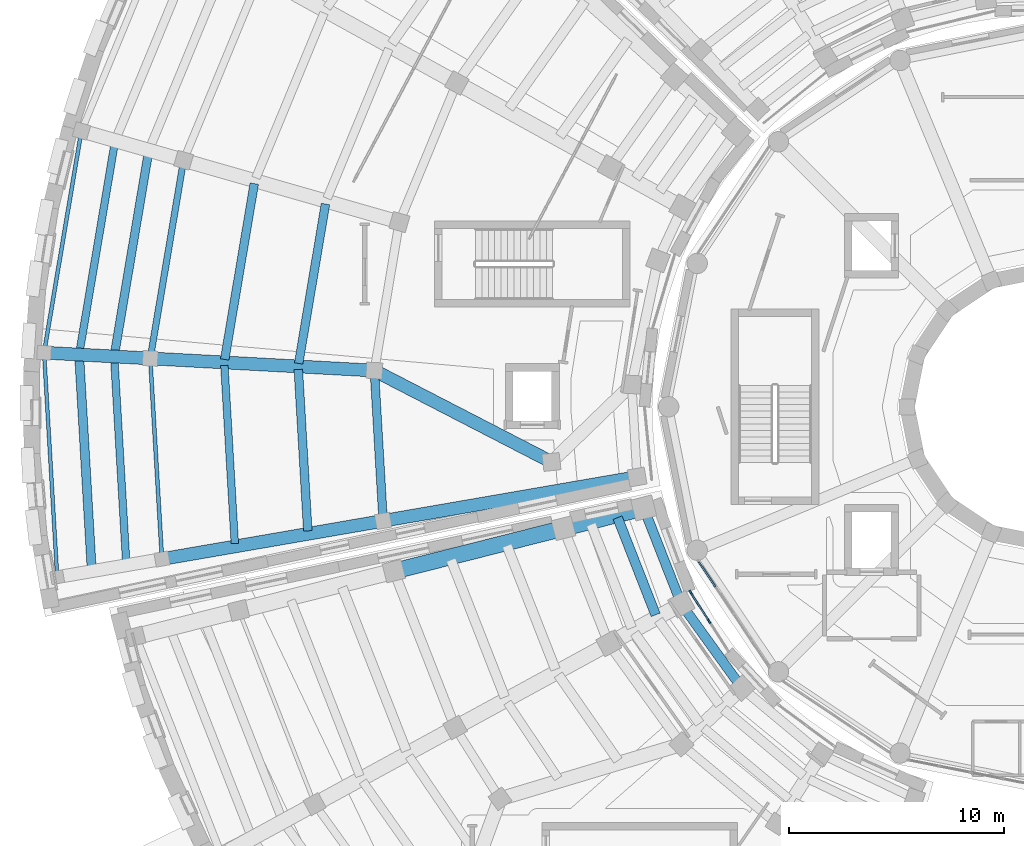
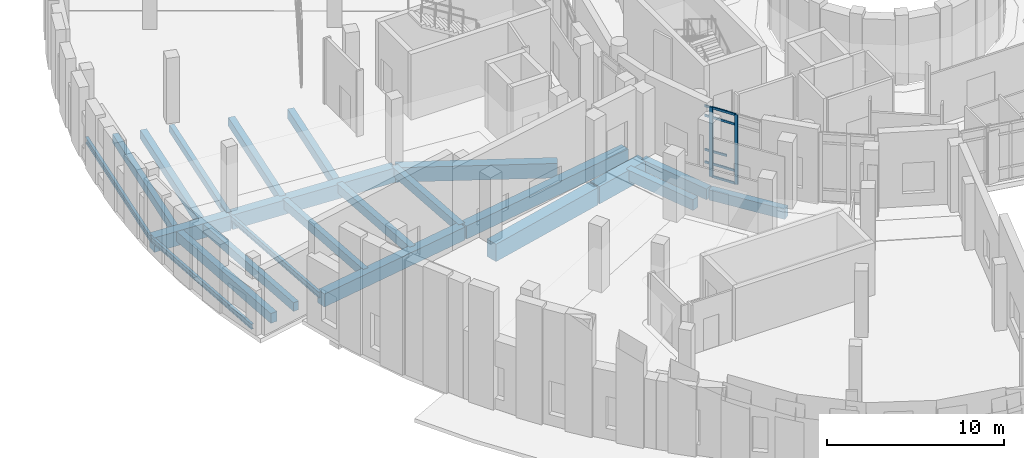
# One storey, part 10 of 89: 23 beams, 10 members, 2 elements without a shape of their own.
"""IFC4 building model written with IfcOpenShell, lengths in metres."""

import ifcopenshell
import ifcopenshell.guid

model = None  # the IFC model being written
_history = None  # IfcOwnerHistory: only IFC2X3 demands one
_inside = {}  # id of a spatial element -> (the spatial element, [elements in it])
_under = {}  # id of a project, library or spatial element -> (it, [spatial elements below it])
_declared = {}  # id of a project -> (the project, [libraries it declares])
_typed = {}  # id of a type object -> (the type object, [elements of that type])
_made_of = {}  # id of a material, layer set ... -> (it, [elements and type objects made of it])


def new_model(schema):
    """Start an empty IFC model of exactly this schema.

    Asked for "IFC4X3", IfcOpenShell would pick the latest addendum, in which some entities
    have other attributes; the version numbers below select the first issue.
    IFC2X3 requires an IfcOwnerHistory on every rooted entity: one is made here for all.
    """
    global model, _history
    if schema == "IFC4X3":
        model = ifcopenshell.file(schema_version=(4, 3, 0, 0))
    else:
        model = ifcopenshell.file(schema=schema)
    _inside.clear()
    _under.clear()
    _declared.clear()
    _typed.clear()
    _made_of.clear()
    _history = None
    if model.schema == "IFC2X3":
        org = make("IfcOrganization", Name="unknown")
        user = make(
            "IfcPersonAndOrganization",
            ThePerson=make("IfcPerson", FamilyName="unknown"),
            TheOrganization=org,
        )
        app = make(
            "IfcApplication",
            ApplicationDeveloper=org,
            Version="unknown",
            ApplicationFullName="unknown",
            ApplicationIdentifier="unknown",
        )
        _history = make(
            "IfcOwnerHistory",
            OwningUser=user,
            OwningApplication=app,
            ChangeAction="ADDED",
            CreationDate=0,
        )
    return model


def make(cls, **values):
    """One entity of the class cls with the attributes given. An attribute that is None is left unset."""
    return model.create_entity(
        cls, **{name: value for name, value in values.items() if value is not None}
    )


def rooted(cls, **values):
    """An entity with a GlobalId (a new one), such as an element, a storey or a relation."""
    return make(cls, GlobalId=ifcopenshell.guid.new(), OwnerHistory=_history, **values)


def si_unit(unit_type, name, prefix=None):
    """IfcSIUnit, for example si_unit("LENGTHUNIT", "METRE", prefix="MILLI")."""
    return make("IfcSIUnit", UnitType=unit_type, Prefix=prefix, Name=name)


def assignment(units):
    """IfcUnitAssignment: the units of a project."""
    return None if units is None else make("IfcUnitAssignment", Units=units)


def point(xyz):
    """IfcCartesianPoint."""
    return None if xyz is None else make("IfcCartesianPoint", Coordinates=xyz)


def direction(xyz):
    """IfcDirection."""
    return None if xyz is None else make("IfcDirection", DirectionRatios=xyz)


def frame(location, z_axis=None, x_axis=None):
    """IfcAxis2Placement3D, a coordinate frame: its origin and axes. An axis left out is left unset."""
    return make(
        "IfcAxis2Placement3D",
        Location=point(location),
        Axis=direction(z_axis),
        RefDirection=direction(x_axis),
    )


def frame_2d(location, x_axis=None):
    """IfcAxis2Placement2D, a coordinate frame in the plane: its origin and x axis."""
    return make(
        "IfcAxis2Placement2D", Location=point(location), RefDirection=direction(x_axis)
    )


def origin():
    """The frame at (0, 0, 0) with its axes left unset."""
    return frame((0.0, 0.0, 0.0))


def origin_2d():
    """The frame at (0, 0) in the plane with its x axis left unset."""
    return frame_2d((0.0, 0.0))


def place(relative_to, where):
    """IfcLocalPlacement: puts the frame where relative to a parent placement (None: the world)."""
    return make(
        "IfcLocalPlacement", PlacementRelTo=relative_to, RelativePlacement=where
    )


def context(
    kind, dimensions, precision=None, world=None, true_north=None, identifier=None
):
    """IfcGeometricRepresentationContext, for example the 3D "Model" context."""
    return make(
        "IfcGeometricRepresentationContext",
        ContextIdentifier=identifier,
        ContextType=kind,
        CoordinateSpaceDimension=dimensions,
        Precision=precision,
        WorldCoordinateSystem=world,
        TrueNorth=true_north,
    )


def subcontext(parent, identifier, kind, view, scale=None):
    """IfcGeometricRepresentationSubContext, for example "Body" below "Model"."""
    return make(
        "IfcGeometricRepresentationSubContext",
        ContextIdentifier=identifier,
        ContextType=kind,
        ParentContext=parent,
        TargetScale=scale,
        TargetView=view,
    )


def project(units=None, contexts=None):
    """IfcProject with its units and contexts."""
    return rooted(
        "IfcProject",
        Name="project",
        RepresentationContexts=contexts,
        UnitsInContext=assignment(units),
    )


def spatial(cls, under=None, at=None, **own):
    """A site, building, storey or space (cls), placed at a placement, below another one or the project."""
    s = rooted(cls, ObjectPlacement=at, **own)
    if under is not None:
        _under.setdefault(under.id(), (under, []))[1].append(s)
    return s


def profile(cls, at=None, kind="AREA", **sizes):
    """A parametric profile (cls). Its sizes go by their IFC names, for example OverallWidth=200.0."""
    return make(cls, ProfileType=kind, Position=at, **sizes)


def rectangle(**sizes):
    """IfcRectangleProfileDef."""
    return profile("IfcRectangleProfileDef", **sizes)


def i_section(**sizes):
    """IfcIShapeProfileDef."""
    return profile("IfcIShapeProfileDef", **sizes)


def extrude(swept, where, along, depth):
    """IfcExtrudedAreaSolid: the profile swept, set in the frame where, extruded along a direction by depth."""
    return make(
        "IfcExtrudedAreaSolid",
        SweptArea=swept,
        Position=where,
        ExtrudedDirection=direction(along),
        Depth=depth,
    )


def shape(context_of_items, identifier, shape_type, items):
    """IfcShapeRepresentation: the items that make up one representation, for example the "Body"."""
    return make(
        "IfcShapeRepresentation",
        ContextOfItems=context_of_items,
        RepresentationIdentifier=identifier,
        RepresentationType=shape_type,
        Items=items,
    )


def material(Name=None, Category=None):
    """IfcMaterial."""
    return make("IfcMaterial", Name=Name, Category=Category)


def material_profile(
    of_material, cross_section, Name=None, Category=None, Priority=None
):
    """IfcMaterialProfile: a cross section and its material."""
    return make(
        "IfcMaterialProfile",
        Name=Name,
        Material=of_material,
        Profile=cross_section,
        Priority=Priority,
        Category=Category,
    )


def profile_set(profiles, Name=None, composite=None):
    """IfcMaterialProfileSet."""
    return make(
        "IfcMaterialProfileSet",
        Name=Name,
        MaterialProfiles=profiles,
        CompositeProfile=composite,
    )


def made_of(thing, what):
    """Note that an element or type object is made of a material, layer set ...; save() writes the relation."""
    if what is not None:
        _made_of.setdefault(what.id(), (what, []))[1].append(thing)
    return thing


def type_object(cls, material=None, **own):
    """A type object (cls), such as IfcWallType, which elements share."""
    return made_of(rooted(cls, **own), material)


def element(
    cls,
    number,
    at=None,
    inside=None,
    cuts=None,
    type_object=None,
    material=None,
    context=None,
    identifier="Body",
    shape_type=None,
    held_by="IfcProductDefinitionShape",
    body=None,
    shapes=None,
    **own,
):
    """One element of the class cls, such as IfcWall. Its Tag is "e" and its number.

    at: its placement. inside: the storey or other place that contains it. cuts: it is an
    opening in that element (IfcRelVoidsElement). A single representation is given by context,
    identifier, shape_type and body (its items); several are given by shapes. held_by: the class
    of the entity that holds the representations. save() writes the other relations.
    """
    e = rooted(cls, Tag="e%d" % number, ObjectPlacement=at, **own)
    if body is not None:
        shapes = [shape(context, identifier, shape_type, body)]
    if shapes is not None:
        e.Representation = make(held_by, Representations=shapes)
    if inside is not None:
        _inside.setdefault(inside.id(), (inside, []))[1].append(e)
    if cuts is not None:
        rooted(
            "IfcRelVoidsElement", RelatingBuildingElement=cuts, RelatedOpeningElement=e
        )
    if type_object is not None:
        _typed.setdefault(type_object.id(), (type_object, []))[1].append(e)
    return made_of(e, material)


def aggregate(whole, parts):
    """IfcRelAggregates: a whole, such as a stair, and the parts it consists of."""
    return rooted("IfcRelAggregates", RelatingObject=whole, RelatedObjects=parts)


def save(model, path):
    """Write the relations noted so far, then the file.

    IfcRelAggregates (storeys below a building ...), IfcRelContainedInSpatialStructure (elements
    in a storey), IfcRelDefinesByType, IfcRelAssociatesMaterial and IfcRelDeclares: one each for
    every whole, place, type object, material and project.
    """
    for whole, parts in _under.values():
        aggregate(whole, parts)
    for where, things in _inside.values():
        rooted(
            "IfcRelContainedInSpatialStructure",
            RelatedElements=things,
            RelatingStructure=where,
        )
    for kind, things in _typed.values():
        rooted("IfcRelDefinesByType", RelatedObjects=things, RelatingType=kind)
    for what, things in _made_of.values():
        rooted("IfcRelAssociatesMaterial", RelatedObjects=things, RelatingMaterial=what)
    for by, libraries in _declared.values():
        rooted("IfcRelDeclares", RelatingContext=by, RelatedDefinitions=libraries)
    model.write(path)


model = new_model("IFC4")

# Units and contexts
model_context = context("Model", 3, precision=1e-05, world=origin(), true_north=direction((0.0, 1.0)))
body_context = subcontext(model_context, "Body", "Model", "MODEL_VIEW")
ifc_project = project(units=[si_unit("LENGTHUNIT", "METRE"), si_unit("AREAUNIT", "SQUARE_METRE"), si_unit("VOLUMEUNIT", "CUBIC_METRE"), si_unit("PLANEANGLEUNIT", "RADIAN"), si_unit("MASSUNIT", "GRAM", prefix="KILO")], contexts=[model_context])

# Site, building, storey
site_placement = place(None, origin())
site = spatial("IfcSite", under=ifc_project, at=site_placement, CompositionType="ELEMENT")
building_placement = place(site_placement, origin())
building = spatial("IfcBuilding", under=site, at=building_placement, Name="Soyqirgoq Riverine Aquarium", CompositionType="ELEMENT")
storey_placement = place(building_placement, frame((0.0, 0.0, 5.39990234375)))
storey = spatial("IfcBuildingStorey", under=building, at=storey_placement, Name="L02", CompositionType="ELEMENT", Elevation=5.39990234375)

# Beams
ifc_material_1 = material(Name="Concrete C40/50", Category="concrete")
ifc_material_profile_1 = material_profile(ifc_material_1, rectangle(XDim=0.35009765625, YDim=0.60009765625, at=origin_2d()), Name="RC 350x600")
ifc_profile_set_1 = profile_set([ifc_material_profile_1], Name="Concrete C40/50")
beam_type_1 = type_object("IfcBeamType", Name="Beam_RC_350x600", PredefinedType="JOIST", material=ifc_profile_set_1)
beam_1_placement = place(storey_placement, frame((17.862548828125, 58.92626953125, -0.599853515625), z_axis=(0.058454850399, -0.998290053273, 0.0), x_axis=(0.998290053273, 0.058454850399, 0.0)))
element("IfcBeam", 1, at=beam_1_placement, inside=storey, type_object=beam_type_1, Name="V3 L02 Secondary Floor Joist 0395", PredefinedType="JOIST", context=body_context, shape_type="SweptSolid", body=[
    extrude(rectangle(XDim=0.35009765625, YDim=0.60009765625, at=origin_2d()), origin(), (0.0, 0.0, 1.0), 8.302978515625),
])
beam_2_placement = place(storey_placement, frame((12.752197265625, 69.25634765625, -0.599853515625), z_axis=(-0.165906209176, -0.986141536371, 0.0), x_axis=(0.986141536371, -0.165906209176, 0.0)))
element("IfcBeam", 2, at=beam_2_placement, inside=storey, type_object=beam_type_1, Name="V3 L02 Secondary Floor Joist 0405", PredefinedType="JOIST", context=body_context, shape_type="SweptSolid", body=[
    extrude(rectangle(XDim=0.35009765625, YDim=0.60009765625, at=origin_2d()), origin(), (0.0, 0.0, 1.0), 9.82275390625),
])
beam_3_placement = place(storey_placement, frame((12.738525390625, 59.20361328125, -0.599853515625), z_axis=(0.05845563255, -0.998290007474, 0.0), x_axis=(0.998290007474, 0.05845563255, 0.0)))
element("IfcBeam", 3, at=beam_3_placement, inside=storey, type_object=beam_type_1, Name="V3 L02 Secondary Floor Joist 0406", PredefinedType="JOIST", context=body_context, shape_type="SweptSolid", body=[
    extrude(rectangle(XDim=0.35009765625, YDim=0.60009765625, at=origin_2d()), origin(), (0.0, 0.0, 1.0), 9.45556640625),
])
ifc_material_2 = material(Name="Concrete C40/50", Category="concrete")
ifc_material_profile_2 = material_profile(ifc_material_2, rectangle(XDim=0.39990234375, YDim=0.60009765625, at=origin_2d()), Name="RC 400x600")
ifc_profile_set_2 = profile_set([ifc_material_profile_2], Name="Concrete C40/50")
beam_type_2 = type_object("IfcBeamType", Name="Beam_RC_400x600", PredefinedType="JOIST", material=ifc_profile_set_2)
beam_4_placement = place(storey_placement, frame((24.8486328125, 58.637451171875, -0.599853515625), z_axis=(0.058440332484, -0.998290903264, 0.0), x_axis=(0.998290903264, 0.058440332484, 0.0)))
element("IfcBeam", 4, at=beam_4_placement, inside=storey, type_object=beam_type_2, Name="V3 L02 Wedge Chord Beam 0387", PredefinedType="JOIST", context=body_context, shape_type="SweptSolid", body=[
    extrude(rectangle(XDim=0.39990234375, YDim=0.60009765625, at=origin_2d()), origin(), (0.0, 0.0, 1.0), 6.90966796875),
])
beam_5_placement = place(storey_placement, frame((19.255126953125, 67.3916015625, -0.599853515625), z_axis=(-0.165905626818, -0.986141634346, 0.0), x_axis=(0.986141634346, -0.165905626818, 0.0)))
element("IfcBeam", 5, at=beam_5_placement, inside=storey, type_object=beam_type_2, Name="V3 L02 Secondary Floor Joist 0393", PredefinedType="JOIST", context=body_context, shape_type="SweptSolid", body=[
    extrude(rectangle(XDim=0.39990234375, YDim=0.60009765625, at=origin_2d()), origin(), (0.0, 0.0, 1.0), 8.302490234375),
])
beam_6_placement = place(storey_placement, frame((21.305908203125, 58.73974609375, -0.599853515625), z_axis=(0.058472972922, -0.998288991945, 0.0), x_axis=(0.998288991945, 0.058472972922, 0.0)))
element("IfcBeam", 6, at=beam_6_placement, inside=storey, type_object=beam_type_2, Name="V3 L02 Secondary Floor Joist 0394", PredefinedType="JOIST", context=body_context, shape_type="SweptSolid", body=[
    extrude(rectangle(XDim=0.39990234375, YDim=0.60009765625, at=origin_2d()), origin(), (0.0, 0.0, 1.0), 7.528076171875),
])
beam_7_placement = place(storey_placement, frame((14.322509765625, 68.80615234375, -0.599853515625), z_axis=(-0.165914452548, -0.98614014949, 0.0), x_axis=(0.98614014949, -0.165914452548, 0.0)))
element("IfcBeam", 7, at=beam_7_placement, inside=storey, type_object=beam_type_2, Name="V3 L02 Secondary Floor Joist 0404", PredefinedType="JOIST", context=body_context, shape_type="SweptSolid", body=[
    extrude(rectangle(XDim=0.39990234375, YDim=0.60009765625, at=origin_2d()), origin(), (0.0, 0.0, 1.0), 9.455810546875),
])
ifc_material_3 = material(Name="Concrete C40/50", Category="concrete")
ifc_material_profile_3 = material_profile(ifc_material_3, rectangle(XDim=0.39990234375, YDim=0.64990234375, at=origin_2d()), Name="RC 400x650")
ifc_profile_set_3 = profile_set([ifc_material_profile_3], Name="Concrete C40/50")
beam_type_3 = type_object("IfcBeamType", Name="Beam_RC_400x650", PredefinedType="BEAM", material=ifc_profile_set_3)
beam_8_placement = place(storey_placement, frame((22.570068359375, 66.441162109375, -0.625), z_axis=(-0.165918682022, -0.986139437887, 0.0), x_axis=(0.986139437887, -0.165918682022, 0.0)))
element("IfcBeam", 8, at=beam_8_placement, inside=storey, type_object=beam_type_3, Name="V3 L02 Secondary Floor Joist 0392", PredefinedType="BEAM", context=body_context, shape_type="SweptSolid", body=[
    extrude(rectangle(XDim=0.39990234375, YDim=0.64990234375, at=origin_2d()), origin(), (0.0, 0.0, 1.0), 7.52783203125),
])
ifc_material_4 = material(Name="Concrete C40/50", Category="concrete")
ifc_material_profile_4 = material_profile(ifc_material_4, rectangle(XDim=0.419921875, YDim=0.679931640625, at=origin_2d()), Name="RC 420x680")
ifc_profile_set_4 = profile_set([ifc_material_profile_4], Name="Concrete C40/50")
beam_type_4 = type_object("IfcBeamType", Name="Beam_RC_420x680", PredefinedType="BEAM", material=ifc_profile_set_4)
beam_9_placement = place(storey_placement, frame((11.107421875, 59.2919921875, -0.639892578125), z_axis=(0.05843353291, -0.99829130129, 0.0), x_axis=(0.99829130129, 0.05843353291, 0.0)))
element("IfcBeam", 9, at=beam_9_placement, inside=storey, type_object=beam_type_4, Name="V3 L02 Secondary Floor Joist 0407", PredefinedType="BEAM", context=body_context, shape_type="SweptSolid", body=[
    extrude(rectangle(XDim=0.419921875, YDim=0.679931640625, at=origin_2d()), origin(), (0.0, 0.0, 1.0), 9.82275390625),
])
ifc_material_5 = material(Name="Concrete C40/50", Category="concrete")
ifc_material_profile_5 = material_profile(ifc_material_5, rectangle(XDim=0.449951171875, YDim=0.699951171875, at=origin_2d()), Name="RC 450x700")
ifc_profile_set_5 = profile_set([ifc_material_profile_5], Name="Concrete C40/50")
beam_type_5 = type_object("IfcBeamType", Name="Beam_RC_450x700", PredefinedType="BEAM", material=ifc_profile_set_5)
beam_10_placement = place(storey_placement, frame((39.171875, 47.7685546875, -0.6298828125), z_axis=(0.584975964064, -0.811050628178, 0.0), x_axis=(0.811050628178, 0.584975964064, 0.0)))
element("IfcBeam", 10, at=beam_10_placement, inside=storey, type_object=beam_type_5, Name="V2 L02 Wedge Chord Beam 0256", PredefinedType="BEAM", context=body_context, shape_type="SweptSolid", body=[
    extrude(rectangle(XDim=0.449951171875, YDim=0.699951171875, at=origin_2d()), origin(), (0.0, 0.0, 1.0), 4.712646484375),
])
ifc_material_6 = material(Name="Concrete C40/50", Category="concrete")
ifc_material_profile_6 = material_profile(ifc_material_6, rectangle(XDim=0.449951171875, YDim=0.75, at=origin_2d()), Name="RC 450x750")
ifc_profile_set_6 = profile_set([ifc_material_profile_6], Name="Concrete C40/50")
beam_type_6 = type_object("IfcBeamType", Name="Beam_RC_450x750", PredefinedType="BEAM", material=ifc_profile_set_6)
beam_11_placement = place(storey_placement, frame((37.40478515625, 52.243408203125, -0.65478515625), z_axis=(0.364914965548, -0.931040851907, 0.0), x_axis=(0.931040851907, 0.364914965548, 0.0)))
element("IfcBeam", 11, at=beam_11_placement, inside=storey, type_object=beam_type_6, Name="V2 L02 Wedge Chord Beam 0255", PredefinedType="BEAM", context=body_context, shape_type="SweptSolid", body=[
    extrude(rectangle(XDim=0.449951171875, YDim=0.75, at=origin_2d()), origin(), (0.0, 0.0, 1.0), 4.712646484375),
])
beam_12_placement = place(storey_placement, frame((36.168701171875, 51.838623046875, -0.65478515625), z_axis=(0.364895468733, -0.931048493312, 0.0), x_axis=(0.931048493312, 0.364895468733, 0.0)))
element("IfcBeam", 12, at=beam_12_placement, inside=storey, type_object=beam_type_6, Name="V2 L02 Secondary Floor Joist 0259", PredefinedType="BEAM", context=body_context, shape_type="SweptSolid", body=[
    extrude(rectangle(XDim=0.449951171875, YDim=0.75, at=origin_2d()), origin(), (0.0, 0.0, 1.0), 4.86083984375),
])

# Curtain wall, members
ifc_material_7 = material(Name="Anodised aluminium thermally broken double low-E glazing", Category="aluminium")
curtain_wall_type_1 = type_object("IfcCurtainWallType", Name="CW_Wedge_NorthBay", PredefinedType="NOTDEFINED", material=ifc_material_7)
curtain_wall_1_placement = place(storey_placement, origin())
curtain_wall_1 = element("IfcCurtainWall", 13, at=curtain_wall_1_placement, inside=storey, type_object=curtain_wall_type_1, Name="V2 L02 Curtain Wall 081", PredefinedType="NOTDEFINED")
ifc_material_8 = material(Name="Anodised aluminium 6063-T6", Category="aluminium")
ifc_material_profile_7 = material_profile(ifc_material_8, rectangle(XDim=0.080078125, YDim=0.219970703125, at=origin_2d()), Name="ALU-M 80x220")
ifc_profile_set_7 = profile_set([ifc_material_profile_7], Name="Anodised aluminium 6063-T6")
member_type_1 = type_object("IfcMemberType", Name="CWMullion_80x220", PredefinedType="MULLION", material=ifc_profile_set_7)
member_1_placement = place(storey_placement, frame((39.571044921875, 48.35791015625, 0.0), z_axis=(0.0, 0.0, 1.0), x_axis=(0.841818826764, 0.539760190183, 0.0)))
member_1 = element("IfcMember", 14, at=member_1_placement, type_object=member_type_1, Name="CW-03 mullion 1", PredefinedType="MULLION", context=body_context, shape_type="SweptSolid", body=[
    extrude(rectangle(XDim=0.080078125, YDim=0.219970703125, at=origin_2d()), origin(), (0.0, 0.0, 1.0), 4.81005859375),
])
member_2_placement = place(storey_placement, frame((40.4306640625, 47.017333984375, 0.0), z_axis=(0.0, 0.0, 1.0), x_axis=(0.841818826764, 0.539760190183, 0.0)))
member_2 = element("IfcMember", 15, at=member_2_placement, type_object=member_type_1, Name="CW-03 mullion 2", PredefinedType="MULLION", context=body_context, shape_type="SweptSolid", body=[
    extrude(rectangle(XDim=0.080078125, YDim=0.219970703125, at=origin_2d()), origin(), (0.0, 0.0, 1.0), 4.81005859375),
])

ifc_material_9 = material(Name="Anodised aluminium thermally broken triple low-E glazing", Category="aluminium")
curtain_wall_type_2 = type_object("IfcCurtainWallType", Name="CW_DrumGallery_Unitised", PredefinedType="NOTDEFINED", material=ifc_material_9)
curtain_wall_2_placement = place(storey_placement, origin())
curtain_wall_2 = element("IfcCurtainWall", 16, at=curtain_wall_2_placement, inside=storey, type_object=curtain_wall_type_2, Name="V1 L02 Curtain Wall 035", PredefinedType="NOTDEFINED")
ifc_material_10 = material(Name="Anodised aluminium 6063-T6", Category="aluminium")
ifc_material_profile_8 = material_profile(ifc_material_10, rectangle(XDim=0.074951171875, YDim=0.14990234375, at=origin_2d()), Name="ALU-T 75x150")
ifc_profile_set_8 = profile_set([ifc_material_profile_8], Name="Anodised aluminium 6063-T6")
member_type_2 = type_object("IfcMemberType", Name="CWTransom_75x150", PredefinedType="USERDEFINED", material=ifc_profile_set_8)
member_3_placement = place(storey_placement, frame((39.94921875, 49.77490234375, 0.03759765625), z_axis=(0.555551087144, -0.831482404849, 0.0), x_axis=(0.831482404849, 0.555551087144, 0.0)))
member_3 = element("IfcMember", 17, at=member_3_placement, type_object=member_type_2, Name="CW-01 transom 1.1", ObjectType="TRANSOM", PredefinedType="USERDEFINED", context=body_context, shape_type="SweptSolid", body=[
    extrude(rectangle(XDim=0.074951171875, YDim=0.14990234375, at=origin_2d()), origin(), (0.0, 0.0, 1.0), 1.389892578125),
])
member_4_placement = place(storey_placement, frame((39.94921875, 49.77490234375, 0.900146484375), z_axis=(0.555551087144, -0.831482404849, 0.0), x_axis=(0.831482404849, 0.555551087144, 0.0)))
member_4 = element("IfcMember", 18, at=member_4_placement, type_object=member_type_2, Name="CW-01 transom 1.2", ObjectType="TRANSOM", PredefinedType="USERDEFINED", context=body_context, shape_type="SweptSolid", body=[
    extrude(rectangle(XDim=0.074951171875, YDim=0.14990234375, at=origin_2d()), origin(), (0.0, 0.0, 1.0), 1.389892578125),
])
member_5_placement = place(storey_placement, frame((39.94921875, 49.77490234375, 3.25), z_axis=(0.555551087144, -0.831482404849, 0.0), x_axis=(0.831482404849, 0.555551087144, 0.0)))
member_5 = element("IfcMember", 19, at=member_5_placement, type_object=member_type_2, Name="CW-01 transom 1.3", ObjectType="TRANSOM", PredefinedType="USERDEFINED", context=body_context, shape_type="SweptSolid", body=[
    extrude(rectangle(XDim=0.074951171875, YDim=0.14990234375, at=origin_2d()), origin(), (0.0, 0.0, 1.0), 1.389892578125),
])
member_6_placement = place(storey_placement, frame((39.94921875, 49.77490234375, 3.91259765625), z_axis=(0.555551087144, -0.831482404849, 0.0), x_axis=(0.831482404849, 0.555551087144, 0.0)))
member_6 = element("IfcMember", 20, at=member_6_placement, type_object=member_type_2, Name="CW-01 transom 1.4", ObjectType="TRANSOM", PredefinedType="USERDEFINED", context=body_context, shape_type="SweptSolid", body=[
    extrude(rectangle(XDim=0.074951171875, YDim=0.14990234375, at=origin_2d()), origin(), (0.0, 0.0, 1.0), 1.389892578125),
])
aggregate(curtain_wall_2, [member_3, member_4, member_5, member_6])

# Member
member_7_placement = place(storey_placement, frame((39.5927734375, 48.32421875, 0.03759765625), z_axis=(0.539671982279, -0.84187537768, 0.0), x_axis=(0.84187537768, 0.539671982279, 0.0)))
member_7 = element("IfcMember", 21, at=member_7_placement, type_object=member_type_2, Name="CW-03 transom 1.1", ObjectType="TRANSOM", PredefinedType="USERDEFINED", context=body_context, shape_type="SweptSolid", body=[
    extrude(rectangle(XDim=0.074951171875, YDim=0.14990234375, at=origin_2d()), origin(), (0.0, 0.0, 1.0), 1.512451171875),
])

member_8_placement = place(storey_placement, frame((39.5927734375, 48.32421875, 0.900146484375), z_axis=(0.539671982279, -0.84187537768, 0.0), x_axis=(0.84187537768, 0.539671982279, 0.0)))
member_8 = element("IfcMember", 22, at=member_8_placement, type_object=member_type_2, Name="CW-03 transom 1.2", ObjectType="TRANSOM", PredefinedType="USERDEFINED", context=body_context, shape_type="SweptSolid", body=[
    extrude(rectangle(XDim=0.074951171875, YDim=0.14990234375, at=origin_2d()), origin(), (0.0, 0.0, 1.0), 1.512451171875),
])

member_9_placement = place(storey_placement, frame((39.5927734375, 48.32421875, 4.110107421875), z_axis=(0.539671982279, -0.84187537768, 0.0), x_axis=(0.84187537768, 0.539671982279, 0.0)))
member_9 = element("IfcMember", 23, at=member_9_placement, type_object=member_type_2, Name="CW-03 transom 1.3", ObjectType="TRANSOM", PredefinedType="USERDEFINED", context=body_context, shape_type="SweptSolid", body=[
    extrude(rectangle(XDim=0.074951171875, YDim=0.14990234375, at=origin_2d()), origin(), (0.0, 0.0, 1.0), 1.512451171875),
])

member_10_placement = place(storey_placement, frame((39.5927734375, 48.32421875, 4.772705078125), z_axis=(0.539671982279, -0.84187537768, 0.0), x_axis=(0.84187537768, 0.539671982279, 0.0)))
member_10 = element("IfcMember", 24, at=member_10_placement, type_object=member_type_2, Name="CW-03 transom 1.4", ObjectType="TRANSOM", PredefinedType="USERDEFINED", context=body_context, shape_type="SweptSolid", body=[
    extrude(rectangle(XDim=0.074951171875, YDim=0.14990234375, at=origin_2d()), origin(), (0.0, 0.0, 1.0), 1.512451171875),
])

aggregate(curtain_wall_1, [member_1, member_2, member_7, member_8, member_9, member_10])

# Beams
ifc_material_11 = material(Name="Concrete C40/50", Category="concrete")
ifc_material_profile_9 = material_profile(ifc_material_11, rectangle(XDim=0.60009765625, YDim=1.0, at=origin_2d()), Name="RC 600x1000")
ifc_profile_set_9 = profile_set([ifc_material_profile_9], Name="Concrete C40/50")
beam_type_7 = type_object("IfcBeamType", Name="Girder_RC_600x1000", PredefinedType="BEAM", material=ifc_profile_set_9)
beam_13_placement = place(storey_placement, frame((33.04931640625, 54.45361328125, -0.7998046875), z_axis=(-0.88864267975, 0.458600248284, 0.0), x_axis=(-0.458600248284, -0.88864267975, 0.0)))
element("IfcBeam", 25, at=beam_13_placement, inside=storey, type_object=beam_type_7, Name="V3 L02 Wedge Radial Girder 0369", PredefinedType="BEAM", context=body_context, shape_type="SweptSolid", body=[
    extrude(rectangle(XDim=0.60009765625, YDim=1.0, at=origin_2d()), origin(), (0.0, 0.0, 1.0), 9.181640625),
])
beam_14_placement = place(storey_placement, frame((24.7958984375, 58.68994140625, -0.7998046875), z_axis=(-0.998536254205, 0.054086495899, 0.0), x_axis=(-0.054086495899, -0.998536254205, 0.0)))
element("IfcBeam", 26, at=beam_14_placement, inside=storey, type_object=beam_type_7, Name="V3 L02 Wedge Radial Girder 0370", PredefinedType="BEAM", context=body_context, shape_type="SweptSolid", body=[
    extrude(rectangle(XDim=0.60009765625, YDim=1.0, at=origin_2d()), origin(), (0.0, 0.0, 1.0), 10.350341796875),
])
beam_15_placement = place(storey_placement, frame((14.361083984375, 59.255126953125, -0.7998046875), z_axis=(-0.998537576749, 0.054062073773, 0.0), x_axis=(-0.054062073773, -0.998537576749, 0.0)))
element("IfcBeam", 27, at=beam_15_placement, inside=storey, type_object=beam_type_7, Name="V3 L02 Wedge Radial Girder 0371", PredefinedType="BEAM", context=body_context, shape_type="SweptSolid", body=[
    extrude(rectangle(XDim=0.60009765625, YDim=1.0, at=origin_2d()), origin(), (0.0, 0.0, 1.0), 4.85009765625),
])
ifc_material_12 = material(Name="Concrete C40/50", Category="concrete")
ifc_material_profile_10 = material_profile(ifc_material_12, rectangle(XDim=0.60009765625, YDim=0.89990234375, at=origin_2d()), Name="RC 600x900")
ifc_profile_set_10 = profile_set([ifc_material_profile_10], Name="Concrete C40/50")
beam_type_8 = type_object("IfcBeamType", Name="Girder_RC_600x900", PredefinedType="BEAM", material=ifc_profile_set_10)
beam_16_placement = place(storey_placement, frame((37.031005859375, 53.723388671875, -0.75), z_axis=(-0.985409255208, -0.17020164438, 0.0), x_axis=(0.17020164438, -0.985409255208, 0.0)))
element("IfcBeam", 28, at=beam_16_placement, inside=storey, type_object=beam_type_8, Name="V3 L02 Wedge Radial Girder 0372", PredefinedType="BEAM", context=body_context, shape_type="SweptSolid", body=[
    extrude(rectangle(XDim=0.60009765625, YDim=0.89990234375, at=origin_2d()), origin(), (0.0, 0.0, 1.0), 11.89990234375),
])
beam_17_placement = place(storey_placement, frame((25.2060546875, 51.680908203125, -0.75), z_axis=(-0.985407089182, -0.170214184453, 0.0), x_axis=(0.170214184453, -0.985407089182, 0.0)))
element("IfcBeam", 29, at=beam_17_placement, inside=storey, type_object=beam_type_8, Name="V3 L02 Wedge Radial Girder 0373", PredefinedType="BEAM", context=body_context, shape_type="SweptSolid", body=[
    extrude(rectangle(XDim=0.60009765625, YDim=0.89990234375, at=origin_2d()), origin(), (0.0, 0.0, 1.0), 10.35009765625),
])
ifc_material_13 = material(Name="Concrete C40/50", Category="concrete")
ifc_material_profile_11 = material_profile(ifc_material_13, rectangle(XDim=0.75, YDim=1.199951171875, at=origin_2d()), Name="RC 750x1200")
ifc_profile_set_11 = profile_set([ifc_material_profile_11], Name="Concrete C40/50")
beam_type_9 = type_object("IfcBeamType", Name="Girder_RC_750x1200", PredefinedType="BEAM", material=ifc_profile_set_11)
beam_18_placement = place(storey_placement, frame((37.338134765625, 52.27783203125, -0.8798828125), z_axis=(-0.969441467133, -0.245322729896, 0.0), x_axis=(0.245322729896, -0.969441467133, 0.0)))
element("IfcBeam", 30, at=beam_18_placement, inside=storey, type_object=beam_type_9, Name="V2 L02 Wedge Radial Girder 0236", PredefinedType="BEAM", context=body_context, shape_type="SweptSolid", body=[
    extrude(rectangle(XDim=0.75, YDim=1.199951171875, at=origin_2d()), origin(), (0.0, 0.0, 1.0), 3.749755859375),
])
beam_19_placement = place(storey_placement, frame((33.605712890625, 51.33349609375, -0.8798828125), z_axis=(-0.969440939126, -0.245324816411, 0.0), x_axis=(0.245324816411, -0.969440939126, 0.0)))
element("IfcBeam", 31, at=beam_19_placement, inside=storey, type_object=beam_type_9, Name="V2 L02 Wedge Radial Girder 0237", PredefinedType="BEAM", context=body_context, shape_type="SweptSolid", body=[
    extrude(rectangle(XDim=0.75, YDim=1.199951171875, at=origin_2d()), origin(), (0.0, 0.0, 1.0), 8.050048828125),
])
ifc_material_14 = material(Name="Concrete C40/50", Category="concrete")
ifc_material_profile_12 = material_profile(ifc_material_14, rectangle(XDim=0.300048828125, YDim=0.5, at=origin_2d()), Name="RC 300x500")
ifc_profile_set_12 = profile_set([ifc_material_profile_12], Name="Concrete C40/50")
beam_type_10 = type_object("IfcBeamType", Name="Spandrel_RC_300x500", PredefinedType="SPANDREL", material=ifc_profile_set_12)
beam_20_placement = place(storey_placement, frame((15.955078125, 68.430908203125, -0.5498046875), z_axis=(-0.165908433428, -0.986141162166, 0.0), x_axis=(0.986141162166, -0.165908433428, 0.0)))
element("IfcBeam", 32, at=beam_20_placement, inside=storey, type_object=beam_type_10, Name="V3 L02 Wedge Chord Beam 0398", PredefinedType="SPANDREL", context=body_context, shape_type="SweptSolid", body=[
    extrude(rectangle(XDim=0.300048828125, YDim=0.5, at=origin_2d()), origin(), (0.0, 0.0, 1.0), 9.257568359375),
])
ifc_material_15 = material(Name="Structural steel S355", Category="steel")
ifc_material_profile_13 = material_profile(ifc_material_15, i_section(OverallWidth=0.169921875, OverallDepth=0.360107421875, WebThickness=0.008056640625, FlangeThickness=0.0126953125, FilletRadius=0.01806640625, at=origin_2d()), Name="IPE 360")
ifc_profile_set_13 = profile_set([ifc_material_profile_13], Name="Structural steel S355")
beam_type_11 = type_object("IfcBeamType", Name="Spandrel_Steel_IPE360", PredefinedType="SPANDREL", material=ifc_profile_set_13)
beam_21_placement = place(storey_placement, frame((9.47119140625, 59.47021484375, -0.47998046875), z_axis=(0.05843495127, -0.998291218268, 0.0), x_axis=(0.998291218268, 0.05843495127, 0.0)))
element("IfcBeam", 33, at=beam_21_placement, inside=storey, type_object=beam_type_11, Name="V3 L02 Wedge Chord Beam 0411", PredefinedType="SPANDREL", context=body_context, shape_type="SweptSolid", body=[
    extrude(i_section(OverallWidth=0.169921875, OverallDepth=0.360107421875, WebThickness=0.008056640625, FlangeThickness=0.0126953125, FilletRadius=0.01806640625, at=origin_2d()), origin(), (0.0, 0.0, 1.0), 10.369873046875),
])
ifc_material_16 = material(Name="Structural steel S355", Category="steel")
ifc_material_profile_14 = material_profile(ifc_material_16, i_section(OverallWidth=0.179931640625, OverallDepth=0.39990234375, WebThickness=0.008544921875, FlangeThickness=0.013427734375, FilletRadius=0.02099609375, at=origin_2d()), Name="IPE 400")
ifc_profile_set_14 = profile_set([ifc_material_profile_14], Name="Structural steel S355")
beam_type_12 = type_object("IfcBeamType", Name="Spandrel_Steel_IPE400", PredefinedType="SPANDREL", material=ifc_profile_set_14)
beam_22_placement = place(storey_placement, frame((14.413818359375, 59.202392578125, -0.5), z_axis=(0.058440656196, -0.998290884313, 0.0), x_axis=(0.998290884313, 0.058440656196, 0.0)))
element("IfcBeam", 34, at=beam_22_placement, inside=storey, type_object=beam_type_12, Name="V3 L02 Wedge Chord Beam 0399", PredefinedType="SPANDREL", context=body_context, shape_type="SweptSolid", body=[
    extrude(i_section(OverallWidth=0.179931640625, OverallDepth=0.39990234375, WebThickness=0.008544921875, FlangeThickness=0.013427734375, FilletRadius=0.02099609375, at=origin_2d()), origin(), (0.0, 0.0, 1.0), 9.257568359375),
])
beam_23_placement = place(storey_placement, frame((11.197021484375, 69.79541015625, -0.5), z_axis=(-0.165910665229, -0.986140786685, 0.0), x_axis=(0.986140786685, -0.165910665229, 0.0)))
element("IfcBeam", 35, at=beam_23_placement, inside=storey, type_object=beam_type_12, Name="V3 L02 Wedge Chord Beam 0410", PredefinedType="SPANDREL", context=body_context, shape_type="SweptSolid", body=[
    extrude(i_section(OverallWidth=0.179931640625, OverallDepth=0.39990234375, WebThickness=0.008544921875, FlangeThickness=0.013427734375, FilletRadius=0.02099609375, at=origin_2d()), origin(), (0.0, 0.0, 1.0), 10.369873046875),
])

save(model, "model.ifc")
